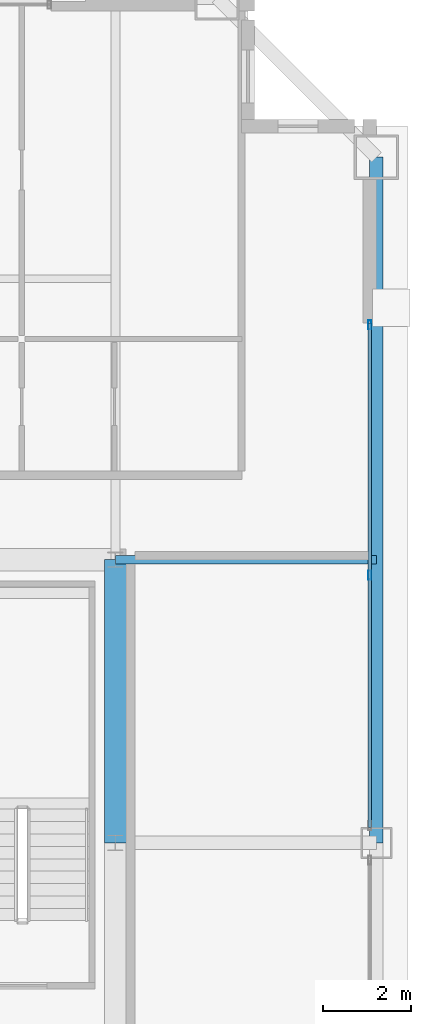
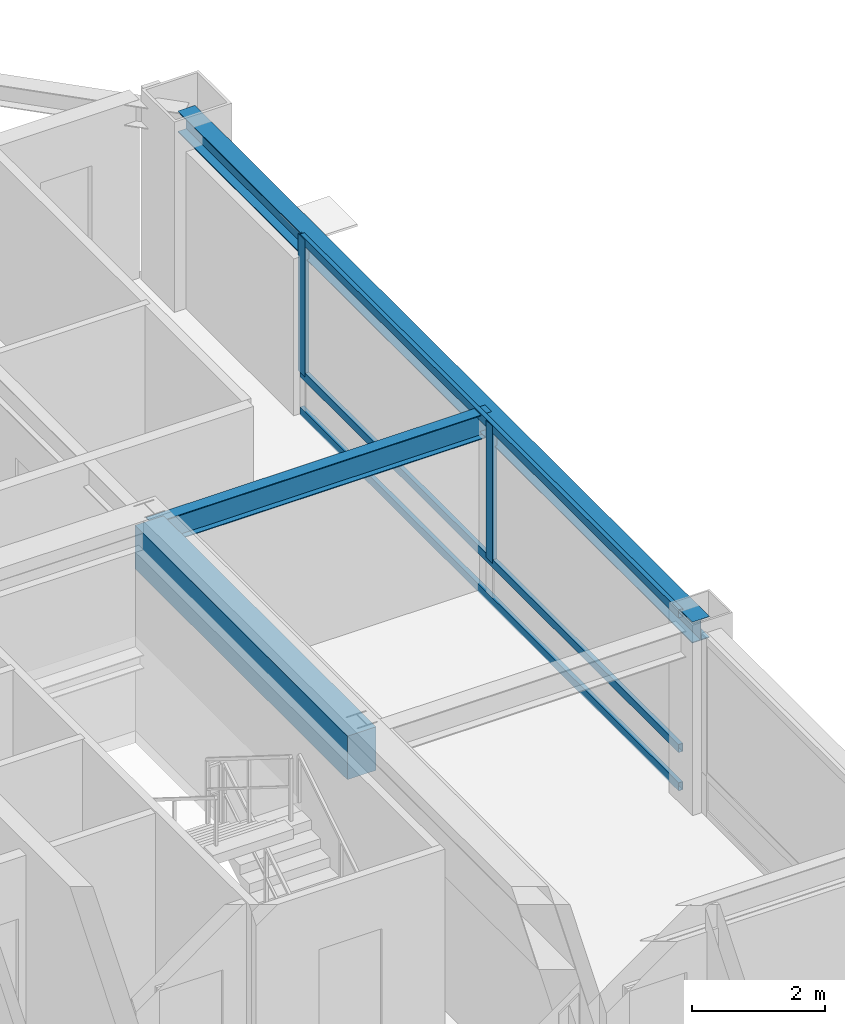
# One storey, part 15 of 35: 5 members, 3 beams, 1 element without a shape of its own.
"""IFC4 building model written with IfcOpenShell, lengths in metres."""

from ifc_helpers import new_model, si_unit, direction, frame, origin, origin_2d, place, context, subcontext, project, spatial, rectangle, hollow_rectangle, i_section, extrude, source, transform, mapped, material, layer, layer_set, material_profile, profile_set, type_object, element, aggregate, save


model = new_model("IFC4")

# Units and contexts
model_context = context("Model", 3, precision=1e-05, world=origin(), true_north=direction((0.0, 1.0)))
body_context = subcontext(model_context, "Body", "Model", "MODEL_VIEW")
ifc_project = project(units=[si_unit("LENGTHUNIT", "METRE"), si_unit("AREAUNIT", "SQUARE_METRE"), si_unit("VOLUMEUNIT", "CUBIC_METRE"), si_unit("PLANEANGLEUNIT", "RADIAN"), si_unit("MASSUNIT", "GRAM", prefix="KILO"), si_unit("THERMODYNAMICTEMPERATUREUNIT", "KELVIN"), si_unit("POWERUNIT", "WATT")], contexts=[model_context])

# Site, building, storey
site_placement = place(None, origin())
site = spatial("IfcSite", under=ifc_project, at=site_placement, CompositionType="ELEMENT")
building_placement = place(site_placement, origin())
building = spatial("IfcBuilding", under=site, at=building_placement, Name="Yuzanri Waterfront Tower", CompositionType="ELEMENT")
storey_placement = place(building_placement, frame((0.0, 0.0, 318.199951171875)))
storey = spatial("IfcBuildingStorey", under=building, at=storey_placement, Name="L85", CompositionType="ELEMENT", Elevation=318.199951171875)

# Beams
ifc_material_1 = material(Name="Concrete C50", Category="concrete")
ifc_material_profile_1 = material_profile(ifc_material_1, rectangle(XDim=0.5, YDim=0.800048828125, at=origin_2d()), Name="RC 500x800")
ifc_profile_set_1 = profile_set([ifc_material_profile_1], Name="Concrete C50")
beam_type_1 = type_object("IfcBeamType", Name="Core Coupling Lintel Concrete C50 500x800", PredefinedType="LINTEL", material=ifc_profile_set_1)
shared_shape_1 = source(origin(), body_context, "Body", "SweptSolid", [
    extrude(rectangle(XDim=0.5, YDim=0.800048828125, at=origin_2d()), origin(), (0.0, 0.0, 1.0), 6.39990234375),
])
beam_1_placement = place(storey_placement, frame((50.199951171875, 25.800048828125, 2.880126953125), z_axis=(0.0, 1.0, 0.0), x_axis=(-1.0, 0.0, 0.0)))
element("IfcBeam", 1, at=beam_1_placement, inside=storey, type_object=beam_type_1, Name="L85 Core Tie Beam CE2", PredefinedType="LINTEL", context=body_context, shape_type="MappedRepresentation", body=[
    mapped(shared_shape_1, transform((0.0, 0.0, 0.0), scale=1.0)),
])
ifc_material_2 = material(Name="Steel Q355B", Category="steel")
ifc_material_profile_2 = material_profile(ifc_material_2, i_section(OverallWidth=0.300048828125, OverallDepth=0.389892578125, WebThickness=0.010009765625, FlangeThickness=0.01611328125, at=origin_2d()), Name="HM 390x300x10x16")
ifc_profile_set_2 = profile_set([ifc_material_profile_2], Name="Steel Q355B")
beam_type_2 = type_object("IfcBeamType", Name="Perimeter Spandrel Q355B HM 390x300", PredefinedType="SPANDREL", material=ifc_profile_set_2)
shared_shape_2 = source(origin(), body_context, "Body", "SweptSolid", [
    extrude(i_section(OverallWidth=0.300048828125, OverallDepth=0.389892578125, WebThickness=0.010009765625, FlangeThickness=0.01611328125, at=origin_2d()), origin(), (0.0, 0.0, 1.0), 15.5),
])
beam_2_placement = place(storey_placement, frame((56.10009765625, 25.800048828125, 3.0849609375), z_axis=(0.0, 1.0, 0.0), x_axis=(-1.0, 0.0, 0.0)))
element("IfcBeam", 2, at=beam_2_placement, inside=storey, type_object=beam_type_2, Name="L85 Perimeter Spandrel E2-E3", PredefinedType="SPANDREL", context=body_context, shape_type="MappedRepresentation", body=[
    mapped(shared_shape_2, transform((0.0, 0.0, 0.0), scale=1.0)),
])
ifc_material_3 = material(Name="Steel Q355B", Category="steel")
ifc_material_profile_3 = material_profile(ifc_material_3, i_section(OverallWidth=0.199951171875, OverallDepth=0.449951171875, WebThickness=0.009033203125, FlangeThickness=0.013916015625, at=origin_2d()), Name="HN 450x200x9x14")
ifc_profile_set_3 = profile_set([ifc_material_profile_3], Name="Steel Q355B")
beam_type_3 = type_object("IfcBeamType", Name="Secondary Floor Beam Q355B HN 450x200", PredefinedType="BEAM", material=ifc_profile_set_3)
shared_shape_3 = source(origin(), body_context, "Body", "SweptSolid", [
    extrude(i_section(OverallWidth=0.199951171875, OverallDepth=0.449951171875, WebThickness=0.009033203125, FlangeThickness=0.013916015625, at=origin_2d()), origin(), (0.0, 0.0, 1.0), 5.900146484375),
])
beam_3_placement = place(storey_placement, frame((50.199951171875, 32.199951171875, 3.054931640625), z_axis=(1.0, 0.0, 0.0), x_axis=(0.0, 1.0, 0.0)))
element("IfcBeam", 3, at=beam_3_placement, inside=storey, type_object=beam_type_3, Name="L85 East-North Core Line Beam", PredefinedType="BEAM", context=body_context, shape_type="MappedRepresentation", body=[
    mapped(shared_shape_3, transform((0.0, 0.0, 0.0), scale=1.0)),
])

# Curtain wall, members
ifc_material_4 = material(Name="Anodized Architectural Bronze", Category="metal")
ifc_layer = layer(ifc_material_4, 0.159912109375)
ifc_layer_set = layer_set([ifc_layer], Name="Anodized Architectural Bronze")
curtain_wall_type = type_object("IfcCurtainWallType", Name="Anodized Bronze High-Rise Penthouse High-Wind Unitized Curtain Wall 6900", PredefinedType="NOTDEFINED", material=ifc_layer_set)
curtain_wall_placement = place(storey_placement, origin())
curtain_wall = element("IfcCurtainWall", 4, at=curtain_wall_placement, inside=storey, type_object=curtain_wall_type, Name="L85 Curtain Wall CW-L85-ER", PredefinedType="NOTDEFINED")
ifc_material_5 = material(Name="Anodized Architectural Bronze", Category="metal")
ifc_material_profile_4 = material_profile(ifc_material_5, hollow_rectangle(XDim=0.074951171875, YDim=0.199951171875, WallThickness=0.00390625, at=origin_2d()), Name="CWM 75x200")
ifc_profile_set_4 = profile_set([ifc_material_profile_4], Name="Anodized Architectural Bronze")
member_type_1 = type_object("IfcMemberType", Name="Anodized Bronze Primary Curtain-Wall Mullion 75x200", PredefinedType="MULLION", material=ifc_profile_set_4)
shared_shape_4 = source(origin(), body_context, "Body", "SweptSolid", [
    extrude(hollow_rectangle(XDim=0.074951171875, YDim=0.199951171875, WallThickness=0.00390625, at=origin_2d()), origin(), (0.0, 0.0, 1.0), 2.52392578125),
])
member_1_placement = place(storey_placement, frame((55.949951171875, 31.85009765625, 0.756103515625), z_axis=(0.0, 0.0, 1.0), x_axis=(1.0, 0.0, 0.0)))
member_1 = element("IfcMember", 5, at=member_1_placement, type_object=member_type_1, Name="CW-L85-ER Upper Mullion 01", PredefinedType="MULLION", context=body_context, shape_type="MappedRepresentation", body=[
    mapped(shared_shape_4, transform((0.0, 0.0, 0.0), scale=1.0)),
])
member_2_placement = place(storey_placement, frame((55.949951171875, 37.510009765625, 0.756103515625), z_axis=(0.0, 0.0, 1.0), x_axis=(1.0, 0.0, 0.0)))
member_2 = element("IfcMember", 6, at=member_2_placement, type_object=member_type_1, Name="CW-L85-ER Upper Mullion 02", PredefinedType="MULLION", context=body_context, shape_type="MappedRepresentation", body=[
    mapped(shared_shape_4, transform((0.0, 0.0, 0.0), scale=1.0)),
])
ifc_material_6 = material(Name="Anodized Architectural Bronze", Category="metal")
ifc_material_profile_5 = material_profile(ifc_material_6, hollow_rectangle(XDim=0.074951171875, YDim=0.14990234375, WallThickness=0.00390625, at=origin_2d()), Name="CWT 75x150")
ifc_profile_set_5 = profile_set([ifc_material_profile_5], Name="Anodized Architectural Bronze")
member_type_2 = type_object("IfcMemberType", Name="Anodized Bronze Primary Curtain-Wall Transom 75x150", PredefinedType="USERDEFINED", material=ifc_profile_set_5)
shared_shape_5 = source(origin(), body_context, "Body", "SweptSolid", [
    extrude(hollow_rectangle(XDim=0.074951171875, YDim=0.14990234375, WallThickness=0.00390625, at=origin_2d()), origin(), (0.0, 0.0, 1.0), 11.400146484375),
])
member_3_placement = place(storey_placement, frame((55.949951171875, 26.14990234375, 0.050048828125), z_axis=(0.0, 1.0, 0.0), x_axis=(-1.0, 0.0, 0.0)))
member_3 = element("IfcMember", 7, at=member_3_placement, type_object=member_type_2, Name="CW-L85-ER Transom 1", ObjectType="TRANSOM", PredefinedType="USERDEFINED", context=body_context, shape_type="MappedRepresentation", body=[
    mapped(shared_shape_5, transform((0.0, 0.0, 0.0), scale=1.0)),
])
member_4_placement = place(storey_placement, frame((55.949951171875, 26.14990234375, 0.754150390625), z_axis=(0.0, 1.0, 0.0), x_axis=(-1.0, 0.0, 0.0)))
member_4 = element("IfcMember", 8, at=member_4_placement, type_object=member_type_2, Name="CW-L85-ER Transom 2", ObjectType="TRANSOM", PredefinedType="USERDEFINED", context=body_context, shape_type="MappedRepresentation", body=[
    mapped(shared_shape_5, transform((0.0, 0.0, 0.0), scale=1.0)),
])
member_5_placement = place(storey_placement, frame((55.949951171875, 26.14990234375, 3.22998046875), z_axis=(0.0, 1.0, 0.0), x_axis=(-1.0, 0.0, 0.0)))
member_5 = element("IfcMember", 9, at=member_5_placement, type_object=member_type_2, Name="CW-L85-ER Transom 3", ObjectType="TRANSOM", PredefinedType="USERDEFINED", context=body_context, shape_type="MappedRepresentation", body=[
    mapped(shared_shape_5, transform((0.0, 0.0, 0.0), scale=1.0)),
])
aggregate(curtain_wall, [member_1, member_2, member_3, member_4, member_5])

save(model, "model.ifc")
